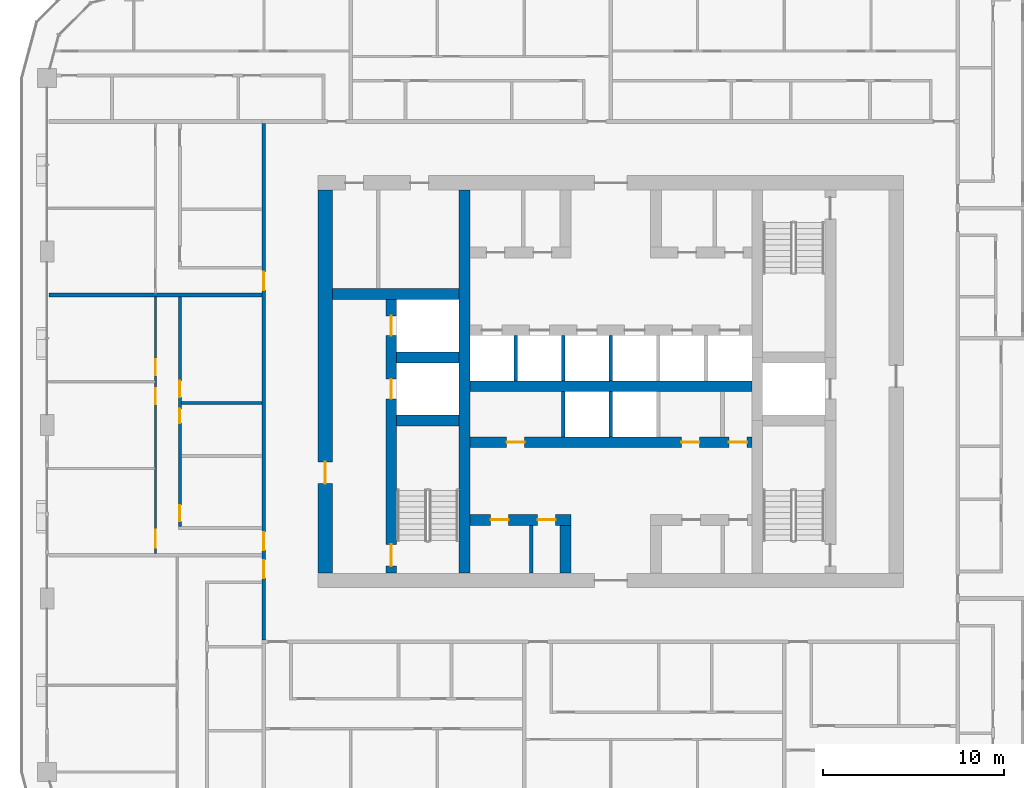
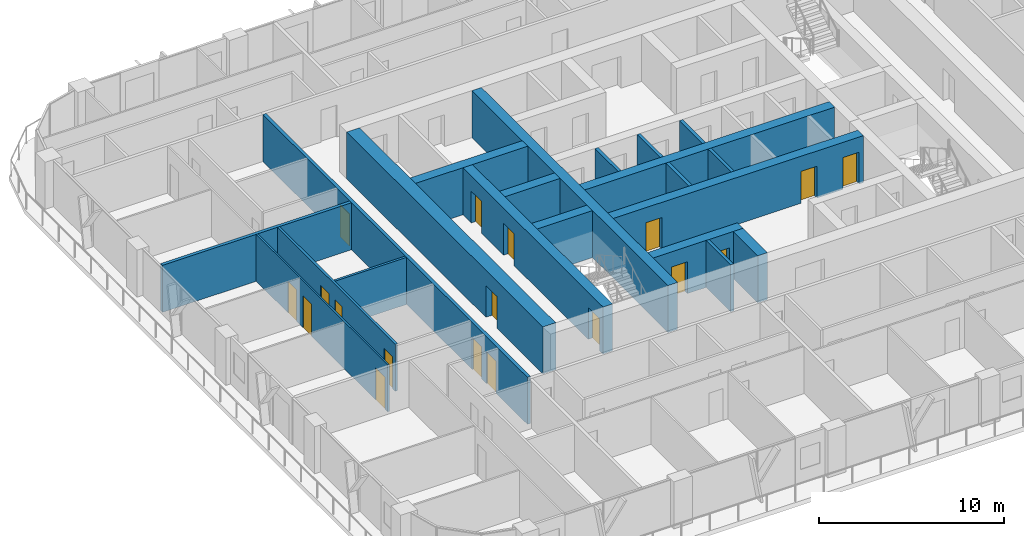
# One storey, part 10 of 22: 21 walls, 18 doors, 18 openings.
"""IFC4 building model written with IfcOpenShell, lengths in metres."""

import ifcopenshell
import ifcopenshell.guid

model = None  # the IFC model being written
_history = None  # IfcOwnerHistory: only IFC2X3 demands one
_inside = {}  # id of a spatial element -> (the spatial element, [elements in it])
_under = {}  # id of a project, library or spatial element -> (it, [spatial elements below it])
_declared = {}  # id of a project -> (the project, [libraries it declares])
_typed = {}  # id of a type object -> (the type object, [elements of that type])
_made_of = {}  # id of a material, layer set ... -> (it, [elements and type objects made of it])


def new_model(schema):
    """Start an empty IFC model of exactly this schema.

    Asked for "IFC4X3", IfcOpenShell would pick the latest addendum, in which some entities
    have other attributes; the version numbers below select the first issue.
    IFC2X3 requires an IfcOwnerHistory on every rooted entity: one is made here for all.
    """
    global model, _history
    if schema == "IFC4X3":
        model = ifcopenshell.file(schema_version=(4, 3, 0, 0))
    else:
        model = ifcopenshell.file(schema=schema)
    _inside.clear()
    _under.clear()
    _declared.clear()
    _typed.clear()
    _made_of.clear()
    _history = None
    if model.schema == "IFC2X3":
        org = make("IfcOrganization", Name="unknown")
        user = make(
            "IfcPersonAndOrganization",
            ThePerson=make("IfcPerson", FamilyName="unknown"),
            TheOrganization=org,
        )
        app = make(
            "IfcApplication",
            ApplicationDeveloper=org,
            Version="unknown",
            ApplicationFullName="unknown",
            ApplicationIdentifier="unknown",
        )
        _history = make(
            "IfcOwnerHistory",
            OwningUser=user,
            OwningApplication=app,
            ChangeAction="ADDED",
            CreationDate=0,
        )
    return model


def make(cls, **values):
    """One entity of the class cls with the attributes given. An attribute that is None is left unset."""
    return model.create_entity(
        cls, **{name: value for name, value in values.items() if value is not None}
    )


def rooted(cls, **values):
    """An entity with a GlobalId (a new one), such as an element, a storey or a relation."""
    return make(cls, GlobalId=ifcopenshell.guid.new(), OwnerHistory=_history, **values)


def si_unit(unit_type, name, prefix=None):
    """IfcSIUnit, for example si_unit("LENGTHUNIT", "METRE", prefix="MILLI")."""
    return make("IfcSIUnit", UnitType=unit_type, Prefix=prefix, Name=name)


def assignment(units):
    """IfcUnitAssignment: the units of a project."""
    return None if units is None else make("IfcUnitAssignment", Units=units)


def point(xyz):
    """IfcCartesianPoint."""
    return None if xyz is None else make("IfcCartesianPoint", Coordinates=xyz)


def direction(xyz):
    """IfcDirection."""
    return None if xyz is None else make("IfcDirection", DirectionRatios=xyz)


def frame(location, z_axis=None, x_axis=None):
    """IfcAxis2Placement3D, a coordinate frame: its origin and axes. An axis left out is left unset."""
    return make(
        "IfcAxis2Placement3D",
        Location=point(location),
        Axis=direction(z_axis),
        RefDirection=direction(x_axis),
    )


def frame_2d(location, x_axis=None):
    """IfcAxis2Placement2D, a coordinate frame in the plane: its origin and x axis."""
    return make(
        "IfcAxis2Placement2D", Location=point(location), RefDirection=direction(x_axis)
    )


def origin():
    """The frame at (0, 0, 0) with its axes left unset."""
    return frame((0.0, 0.0, 0.0))


def place(relative_to, where):
    """IfcLocalPlacement: puts the frame where relative to a parent placement (None: the world)."""
    return make(
        "IfcLocalPlacement", PlacementRelTo=relative_to, RelativePlacement=where
    )


def context(
    kind, dimensions, precision=None, world=None, true_north=None, identifier=None
):
    """IfcGeometricRepresentationContext, for example the 3D "Model" context."""
    return make(
        "IfcGeometricRepresentationContext",
        ContextIdentifier=identifier,
        ContextType=kind,
        CoordinateSpaceDimension=dimensions,
        Precision=precision,
        WorldCoordinateSystem=world,
        TrueNorth=true_north,
    )


def subcontext(parent, identifier, kind, view, scale=None):
    """IfcGeometricRepresentationSubContext, for example "Body" below "Model"."""
    return make(
        "IfcGeometricRepresentationSubContext",
        ContextIdentifier=identifier,
        ContextType=kind,
        ParentContext=parent,
        TargetScale=scale,
        TargetView=view,
    )


def project(units=None, contexts=None):
    """IfcProject with its units and contexts."""
    return rooted(
        "IfcProject",
        Name="project",
        RepresentationContexts=contexts,
        UnitsInContext=assignment(units),
    )


def spatial(cls, under=None, at=None, **own):
    """A site, building, storey or space (cls), placed at a placement, below another one or the project."""
    s = rooted(cls, ObjectPlacement=at, **own)
    if under is not None:
        _under.setdefault(under.id(), (under, []))[1].append(s)
    return s


def profile(cls, at=None, kind="AREA", **sizes):
    """A parametric profile (cls). Its sizes go by their IFC names, for example OverallWidth=200.0."""
    return make(cls, ProfileType=kind, Position=at, **sizes)


def rectangle(**sizes):
    """IfcRectangleProfileDef."""
    return profile("IfcRectangleProfileDef", **sizes)


def extrude(swept, where, along, depth):
    """IfcExtrudedAreaSolid: the profile swept, set in the frame where, extruded along a direction by depth."""
    return make(
        "IfcExtrudedAreaSolid",
        SweptArea=swept,
        Position=where,
        ExtrudedDirection=direction(along),
        Depth=depth,
    )


def shape(context_of_items, identifier, shape_type, items):
    """IfcShapeRepresentation: the items that make up one representation, for example the "Body"."""
    return make(
        "IfcShapeRepresentation",
        ContextOfItems=context_of_items,
        RepresentationIdentifier=identifier,
        RepresentationType=shape_type,
        Items=items,
    )


def material(Name=None, Category=None):
    """IfcMaterial."""
    return make("IfcMaterial", Name=Name, Category=Category)


def layer(
    of_material, thickness, ventilated=None, Name=None, Category=None, Priority=None
):
    """IfcMaterialLayer: one layer of a wall or slab, of a material (None: an air gap)."""
    return make(
        "IfcMaterialLayer",
        Material=of_material,
        LayerThickness=thickness,
        IsVentilated=ventilated,
        Name=Name,
        Category=Category,
        Priority=Priority,
    )


def layer_set(layers, Name=None):
    """IfcMaterialLayerSet."""
    return make("IfcMaterialLayerSet", MaterialLayers=layers, LayerSetName=Name)


def made_of(thing, what):
    """Note that an element or type object is made of a material, layer set ...; save() writes the relation."""
    if what is not None:
        _made_of.setdefault(what.id(), (what, []))[1].append(thing)
    return thing


def type_object(cls, material=None, **own):
    """A type object (cls), such as IfcWallType, which elements share."""
    return made_of(rooted(cls, **own), material)


def element(
    cls,
    number,
    at=None,
    inside=None,
    cuts=None,
    type_object=None,
    material=None,
    context=None,
    identifier="Body",
    shape_type=None,
    held_by="IfcProductDefinitionShape",
    body=None,
    shapes=None,
    **own,
):
    """One element of the class cls, such as IfcWall. Its Tag is "e" and its number.

    at: its placement. inside: the storey or other place that contains it. cuts: it is an
    opening in that element (IfcRelVoidsElement). A single representation is given by context,
    identifier, shape_type and body (its items); several are given by shapes. held_by: the class
    of the entity that holds the representations. save() writes the other relations.
    """
    e = rooted(cls, Tag="e%d" % number, ObjectPlacement=at, **own)
    if body is not None:
        shapes = [shape(context, identifier, shape_type, body)]
    if shapes is not None:
        e.Representation = make(held_by, Representations=shapes)
    if inside is not None:
        _inside.setdefault(inside.id(), (inside, []))[1].append(e)
    if cuts is not None:
        rooted(
            "IfcRelVoidsElement", RelatingBuildingElement=cuts, RelatedOpeningElement=e
        )
    if type_object is not None:
        _typed.setdefault(type_object.id(), (type_object, []))[1].append(e)
    return made_of(e, material)


def fill(opening, filler):
    """IfcRelFillsElement: the door or window that sits in an opening."""
    return rooted(
        "IfcRelFillsElement",
        RelatingOpeningElement=opening,
        RelatedBuildingElement=filler,
    )


def aggregate(whole, parts):
    """IfcRelAggregates: a whole, such as a stair, and the parts it consists of."""
    return rooted("IfcRelAggregates", RelatingObject=whole, RelatedObjects=parts)


def save(model, path):
    """Write the relations noted so far, then the file.

    IfcRelAggregates (storeys below a building ...), IfcRelContainedInSpatialStructure (elements
    in a storey), IfcRelDefinesByType, IfcRelAssociatesMaterial and IfcRelDeclares: one each for
    every whole, place, type object, material and project.
    """
    for whole, parts in _under.values():
        aggregate(whole, parts)
    for where, things in _inside.values():
        rooted(
            "IfcRelContainedInSpatialStructure",
            RelatedElements=things,
            RelatingStructure=where,
        )
    for kind, things in _typed.values():
        rooted("IfcRelDefinesByType", RelatedObjects=things, RelatingType=kind)
    for what, things in _made_of.values():
        rooted("IfcRelAssociatesMaterial", RelatedObjects=things, RelatingMaterial=what)
    for by, libraries in _declared.values():
        rooted("IfcRelDeclares", RelatingContext=by, RelatedDefinitions=libraries)
    model.write(path)


model = new_model("IFC4")

# Units and contexts
model_context = context("Model", 3, precision=1e-05, world=origin(), true_north=direction((0.0, 1.0)))
body_context = subcontext(model_context, "Body", "Model", "MODEL_VIEW")
ifc_project = project(units=[si_unit("LENGTHUNIT", "METRE"), si_unit("AREAUNIT", "SQUARE_METRE"), si_unit("VOLUMEUNIT", "CUBIC_METRE"), si_unit("PLANEANGLEUNIT", "RADIAN"), si_unit("MASSUNIT", "GRAM", prefix="KILO")], contexts=[model_context])

# Site, building, storey
site_placement = place(None, origin())
site = spatial("IfcSite", under=ifc_project, at=site_placement, CompositionType="ELEMENT")
building_placement = place(site_placement, origin())
building = spatial("IfcBuilding", under=site, at=building_placement, Name="Madar Terraces", CompositionType="ELEMENT")
storey_placement = place(building_placement, frame((0.0, 0.0, 170.0)))
storey = spatial("IfcBuildingStorey", under=building, at=storey_placement, Name="L44", CompositionType="ELEMENT", Elevation=170.0)

# Wall, openings, doors
ifc_material_1 = material(Name="Concrete C70/85", Category="concrete")
ifc_layer_1 = layer(ifc_material_1, 0.60009765625)
ifc_layer_set_1 = layer_set([ifc_layer_1], Name="Concrete C70/85 (CIW3 RC wall 600)")
wall_type_1 = type_object("IfcWallType", Name="CIW3 RC wall 600", PredefinedType="SHEAR", material=ifc_layer_set_1)
wall_1_placement = place(storey_placement, frame((19.050048828125, 15.800048828125, 0.0), z_axis=(0.0, 0.0, 1.0), x_axis=(0.0, 1.0, 0.0)))
wall_1 = element("IfcWall", 1, at=wall_1_placement, inside=storey, type_object=wall_type_1, Name="CORE SHAFT WALL", PredefinedType="SHEAR", context=body_context, shape_type="SweptSolid", body=[
    extrude(rectangle(XDim=15.14990234375, YDim=0.60009765625, at=frame_2d((7.574951171875, 0.0))), origin(), (0.0, 0.0, 1.0), 3.10009765625),
])
opening_1_placement = place(wall_1_placement, frame((9.64990234375, 0.0, 0.0)))
opening_1 = element("IfcOpeningElement", 2, at=opening_1_placement, cuts=wall_1, Name="Opening LD", PredefinedType="OPENING", context=body_context, shape_type="SweptSolid", body=[
    extrude(rectangle(XDim=1.10009765625, YDim=2.10009765625, at=frame_2d((0.550048828125, 1.050048828125))), frame((0.0, 0.31005859375, 0.0), z_axis=(0.0, -1.0, 0.0), x_axis=(1.0, 0.0, 0.0)), (0.0, 0.0, 1.0), 0.6201171875),
])
opening_2_placement = place(wall_1_placement, frame((13.14990234375, 0.0, 0.0)))
opening_2 = element("IfcOpeningElement", 3, at=opening_2_placement, cuts=wall_1, Name="Opening LD", PredefinedType="OPENING", context=body_context, shape_type="SweptSolid", body=[
    extrude(rectangle(XDim=1.10009765625, YDim=2.10009765625, at=frame_2d((0.550048828125, 1.050048828125))), frame((0.0, 0.31005859375, 0.0), z_axis=(0.0, -1.0, 0.0), x_axis=(1.0, 0.0, 0.0)), (0.0, 0.0, 1.0), 0.6201171875),
])
opening_3_placement = place(wall_1_placement, frame((0.39990234375, 0.0, 0.0)))
opening_3 = element("IfcOpeningElement", 4, at=opening_3_placement, cuts=wall_1, Name="Opening SD1", PredefinedType="OPENING", context=body_context, shape_type="SweptSolid", body=[
    extrude(rectangle(XDim=1.199951171875, YDim=2.10009765625, at=frame_2d((0.60009765625, 1.050048828125))), frame((0.0, 0.31005859375, 0.0), z_axis=(0.0, -1.0, 0.0), x_axis=(1.0, 0.0, 0.0)), (0.0, 0.0, 1.0), 0.6201171875),
])
ifc_material_2 = material(Name="Stainless steel panel", Category="steel")
door_type_1 = type_object("IfcDoorType", Name="Lift landing door 1100 x 2100", OperationType="DOUBLE_DOOR_SLIDING", PredefinedType="DOOR", material=ifc_material_2)
door_1_placement = place(opening_1_placement, origin())
door_1 = element("IfcDoor", 5, at=door_1_placement, inside=storey, type_object=door_type_1, Name="LIFT LANDING DOOR", OperationType="DOUBLE_DOOR_SLIDING", OverallHeight=2.10009765625, OverallWidth=1.10009765625, PredefinedType="DOOR", context=body_context, shape_type="SweptSolid", body=[
    extrude(rectangle(XDim=1.10009765625, YDim=2.10009765625, at=frame_2d((0.550048828125, 1.050048828125))), frame((0.0, 0.02490234375, 0.0), z_axis=(0.0, -1.0, 0.0), x_axis=(1.0, 0.0, 0.0)), (0.0, 0.0, 1.0), 0.050048828125),
])
fill(opening_1, door_1)
door_2_placement = place(opening_2_placement, origin())
door_2 = element("IfcDoor", 6, at=door_2_placement, inside=storey, type_object=door_type_1, Name="LIFT LANDING DOOR", OperationType="DOUBLE_DOOR_SLIDING", OverallHeight=2.10009765625, OverallWidth=1.10009765625, PredefinedType="DOOR", context=body_context, shape_type="SweptSolid", body=[
    extrude(rectangle(XDim=1.10009765625, YDim=2.10009765625, at=frame_2d((0.550048828125, 1.050048828125))), frame((0.0, 0.02490234375, 0.0), z_axis=(0.0, -1.0, 0.0), x_axis=(1.0, 0.0, 0.0)), (0.0, 0.0, 1.0), 0.050048828125),
])
fill(opening_2, door_2)
ifc_material_3 = material(Name="Steel door leaf", Category="steel")
door_type_2 = type_object("IfcDoorType", Name="Stair door 1200 x 2100", OperationType="NOTDEFINED", PredefinedType="DOOR", material=ifc_material_3)
door_3_placement = place(opening_3_placement, frame((1.199951171875, 0.0, 0.0), z_axis=(0.0, 0.0, 1.0), x_axis=(-1.0, 0.0, 0.0)))
door_3 = element("IfcDoor", 7, at=door_3_placement, inside=storey, type_object=door_type_2, Name="STAIR DOOR", OperationType="SINGLE_SWING_RIGHT", OverallHeight=2.10009765625, OverallWidth=1.199951171875, PredefinedType="DOOR", context=body_context, shape_type="SweptSolid", body=[
    extrude(rectangle(XDim=1.199951171875, YDim=2.10009765625, at=frame_2d((0.60009765625, 1.050048828125))), frame((0.0, 0.02490234375, 0.0), z_axis=(0.0, -1.0, 0.0), x_axis=(1.0, 0.0, 0.0)), (0.0, 0.0, 1.0), 0.050048828125),
])
fill(opening_3, door_3)

# Walls
wall_2_placement = place(storey_placement, frame((23.10009765625, 15.800048828125, 0.0), z_axis=(0.0, 0.0, 1.0), x_axis=(0.0, 1.0, 0.0)))
element("IfcWall", 8, at=wall_2_placement, inside=storey, type_object=wall_type_1, Name="CORE SHAFT WALL", PredefinedType="SHEAR", context=body_context, shape_type="SweptSolid", body=[
    extrude(rectangle(XDim=21.199951171875, YDim=0.60009765625, at=frame_2d((10.60009765625, 0.0))), origin(), (0.0, 0.0, 1.0), 3.10009765625),
])
for number, where, z_axis, x_axis, name in (
    (9, (19.35009765625, 24.25, 0.0), (0.0, 0.0, 1.0), (1.0, 0.0, 0.0), "CORE SHAFT WALL"),
    (10, (19.35009765625, 27.75, 0.0), (0.0, 0.0, 1.0), (1.0, 0.0, 0.0), "CORE SHAFT WALL"),
):
    element("IfcWall", number, at=place(storey_placement, frame(where, z_axis=z_axis, x_axis=x_axis)), inside=storey, type_object=wall_type_1, Name=name, PredefinedType="SHEAR", context=body_context, shape_type="SweptSolid", body=[
        extrude(rectangle(XDim=3.449951171875, YDim=0.60009765625, at=frame_2d((1.72509765625, 0.0))), origin(), (0.0, 0.0, 1.0), 3.10009765625),
    ])
wall_3_placement = place(storey_placement, frame((15.800048828125, 31.25, 0.0), z_axis=(0.0, 0.0, 1.0), x_axis=(1.0, 0.0, 0.0)))
element("IfcWall", 11, at=wall_3_placement, inside=storey, type_object=wall_type_1, Name="CORE SHAFT WALL", PredefinedType="SHEAR", context=body_context, shape_type="SweptSolid", body=[
    extrude(rectangle(XDim=7.0, YDim=0.60009765625, at=frame_2d((3.5, 0.0))), origin(), (0.0, 0.0, 1.0), 3.10009765625),
])

# Wall, openings, doors
wall_4_placement = place(storey_placement, frame((23.39990234375, 18.75, 0.0), z_axis=(0.0, 0.0, 1.0), x_axis=(1.0, 0.0, 0.0)))
wall_4 = element("IfcWall", 12, at=wall_4_placement, inside=storey, type_object=wall_type_1, Name="CORE SHAFT WALL", PredefinedType="SHEAR", context=body_context, shape_type="SweptSolid", body=[
    extrude(rectangle(XDim=5.60009765625, YDim=0.60009765625, at=frame_2d((2.800048828125, 0.0))), origin(), (0.0, 0.0, 1.0), 3.10009765625),
])
opening_4_placement = place(wall_4_placement, frame((1.14990234375, 0.0, 0.0)))
opening_4 = element("IfcOpeningElement", 13, at=opening_4_placement, cuts=wall_4, Name="Opening KD2", PredefinedType="OPENING", context=body_context, shape_type="SweptSolid", body=[
    extrude(rectangle(XDim=1.0, YDim=2.10009765625, at=frame_2d((0.5, 1.050048828125))), frame((0.0, 0.31005859375, 0.0), z_axis=(0.0, -1.0, 0.0), x_axis=(1.0, 0.0, 0.0)), (0.0, 0.0, 1.0), 0.6201171875),
])
opening_5_placement = place(wall_4_placement, frame((3.75, 0.0, 0.0)))
opening_5 = element("IfcOpeningElement", 14, at=opening_5_placement, cuts=wall_4, Name="Opening KD2", PredefinedType="OPENING", context=body_context, shape_type="SweptSolid", body=[
    extrude(rectangle(XDim=1.0, YDim=2.10009765625, at=frame_2d((0.5, 1.050048828125))), frame((0.0, 0.31005859375, 0.0), z_axis=(0.0, -1.0, 0.0), x_axis=(1.0, 0.0, 0.0)), (0.0, 0.0, 1.0), 0.6201171875),
])
ifc_material_4 = material(Name="Steel door leaf", Category="steel")
door_type_3 = type_object("IfcDoorType", Name="Service room door 1000 x 2100", OperationType="NOTDEFINED", PredefinedType="DOOR", material=ifc_material_4)
door_4_placement = place(opening_4_placement, origin())
door_4 = element("IfcDoor", 15, at=door_4_placement, inside=storey, type_object=door_type_3, Name="SERVICE ROOM DOOR", OperationType="SINGLE_SWING_RIGHT", OverallHeight=2.10009765625, OverallWidth=1.0, PredefinedType="DOOR", context=body_context, shape_type="SweptSolid", body=[
    extrude(rectangle(XDim=1.0, YDim=2.10009765625, at=frame_2d((0.5, 1.050048828125))), frame((0.0, 0.02490234375, 0.0), z_axis=(0.0, -1.0, 0.0), x_axis=(1.0, 0.0, 0.0)), (0.0, 0.0, 1.0), 0.050048828125),
])
fill(opening_4, door_4)
door_5_placement = place(opening_5_placement, origin())
door_5 = element("IfcDoor", 16, at=door_5_placement, inside=storey, type_object=door_type_3, Name="SERVICE ROOM DOOR", OperationType="SINGLE_SWING_LEFT", OverallHeight=2.10009765625, OverallWidth=1.0, PredefinedType="DOOR", context=body_context, shape_type="SweptSolid", body=[
    extrude(rectangle(XDim=1.0, YDim=2.10009765625, at=frame_2d((0.5, 1.050048828125))), frame((0.0, 0.02490234375, 0.0), z_axis=(0.0, -1.0, 0.0), x_axis=(1.0, 0.0, 0.0)), (0.0, 0.0, 1.0), 0.050048828125),
])
fill(opening_5, door_5)

wall_5_placement = place(storey_placement, frame((23.39990234375, 23.050048828125, 0.0), z_axis=(0.0, 0.0, 1.0), x_axis=(1.0, 0.0, 0.0)))
wall_5 = element("IfcWall", 17, at=wall_5_placement, inside=storey, type_object=wall_type_1, Name="CORE SHAFT WALL", PredefinedType="SHEAR", context=body_context, shape_type="SweptSolid", body=[
    extrude(rectangle(XDim=15.60009765625, YDim=0.60009765625, at=frame_2d((7.800048828125, 0.0))), origin(), (0.0, 0.0, 1.0), 3.10009765625),
])
opening_6_placement = place(wall_5_placement, frame((2.033447265625, 0.0, 0.0)))
opening_6 = element("IfcOpeningElement", 18, at=opening_6_placement, cuts=wall_5, Name="Opening KD2", PredefinedType="OPENING", context=body_context, shape_type="SweptSolid", body=[
    extrude(rectangle(XDim=1.0, YDim=2.10009765625, at=frame_2d((0.5, 1.050048828125))), frame((0.0, 0.31005859375, 0.0), z_axis=(0.0, -1.0, 0.0), x_axis=(1.0, 0.0, 0.0)), (0.0, 0.0, 1.0), 0.6201171875),
])
opening_7_placement = place(wall_5_placement, frame((11.7060546875, 0.0, 0.0)))
opening_7 = element("IfcOpeningElement", 19, at=opening_7_placement, cuts=wall_5, Name="Opening KD2", PredefinedType="OPENING", context=body_context, shape_type="SweptSolid", body=[
    extrude(rectangle(XDim=1.0, YDim=2.10009765625, at=frame_2d((0.5, 1.050048828125))), frame((0.0, 0.31005859375, 0.0), z_axis=(0.0, -1.0, 0.0), x_axis=(1.0, 0.0, 0.0)), (0.0, 0.0, 1.0), 0.6201171875),
])
opening_8_placement = place(wall_5_placement, frame((14.33935546875, 0.0, 0.0)))
opening_8 = element("IfcOpeningElement", 20, at=opening_8_placement, cuts=wall_5, Name="Opening KD2", PredefinedType="OPENING", context=body_context, shape_type="SweptSolid", body=[
    extrude(rectangle(XDim=1.0, YDim=2.10009765625, at=frame_2d((0.5, 1.050048828125))), frame((0.0, 0.31005859375, 0.0), z_axis=(0.0, -1.0, 0.0), x_axis=(1.0, 0.0, 0.0)), (0.0, 0.0, 1.0), 0.6201171875),
])
door_6_placement = place(opening_6_placement, frame((1.0, 0.0, 0.0), z_axis=(0.0, 0.0, 1.0), x_axis=(-1.0, 0.0, 0.0)))
door_6 = element("IfcDoor", 21, at=door_6_placement, inside=storey, type_object=door_type_3, Name="SERVICE ROOM DOOR", OperationType="SINGLE_SWING_LEFT", OverallHeight=2.10009765625, OverallWidth=1.0, PredefinedType="DOOR", context=body_context, shape_type="SweptSolid", body=[
    extrude(rectangle(XDim=1.0, YDim=2.10009765625, at=frame_2d((0.5, 1.050048828125))), frame((0.0, 0.02490234375, 0.0), z_axis=(0.0, -1.0, 0.0), x_axis=(1.0, 0.0, 0.0)), (0.0, 0.0, 1.0), 0.050048828125),
])
fill(opening_6, door_6)
door_7_placement = place(opening_7_placement, frame((1.0, 0.0, 0.0), z_axis=(0.0, 0.0, 1.0), x_axis=(-1.0, 0.0, 0.0)))
door_7 = element("IfcDoor", 22, at=door_7_placement, inside=storey, type_object=door_type_3, Name="SERVICE ROOM DOOR", OperationType="SINGLE_SWING_RIGHT", OverallHeight=2.10009765625, OverallWidth=1.0, PredefinedType="DOOR", context=body_context, shape_type="SweptSolid", body=[
    extrude(rectangle(XDim=1.0, YDim=2.10009765625, at=frame_2d((0.5, 1.050048828125))), frame((0.0, 0.02490234375, 0.0), z_axis=(0.0, -1.0, 0.0), x_axis=(1.0, 0.0, 0.0)), (0.0, 0.0, 1.0), 0.050048828125),
])
fill(opening_7, door_7)
door_8_placement = place(opening_8_placement, frame((1.0, 0.0, 0.0), z_axis=(0.0, 0.0, 1.0), x_axis=(-1.0, 0.0, 0.0)))
door_8 = element("IfcDoor", 23, at=door_8_placement, inside=storey, type_object=door_type_3, Name="SERVICE ROOM DOOR", OperationType="SINGLE_SWING_LEFT", OverallHeight=2.10009765625, OverallWidth=1.0, PredefinedType="DOOR", context=body_context, shape_type="SweptSolid", body=[
    extrude(rectangle(XDim=1.0, YDim=2.10009765625, at=frame_2d((0.5, 1.050048828125))), frame((0.0, 0.02490234375, 0.0), z_axis=(0.0, -1.0, 0.0), x_axis=(1.0, 0.0, 0.0)), (0.0, 0.0, 1.0), 0.050048828125),
])
fill(opening_8, door_8)

# Walls
wall_6_placement = place(storey_placement, frame((23.39990234375, 26.14990234375, 0.0), z_axis=(0.0, 0.0, 1.0), x_axis=(1.0, 0.0, 0.0)))
element("IfcWall", 24, at=wall_6_placement, inside=storey, type_object=wall_type_1, Name="CORE SHAFT WALL", PredefinedType="SHEAR", context=body_context, shape_type="SweptSolid", body=[
    extrude(rectangle(XDim=15.60009765625, YDim=0.60009765625, at=frame_2d((7.800048828125, 0.0))), origin(), (0.0, 0.0, 1.0), 3.10009765625),
])
wall_7_placement = place(storey_placement, frame((28.699951171875, 15.800048828125, 0.0), z_axis=(0.0, 0.0, 1.0), x_axis=(0.0, 1.0, 0.0)))
element("IfcWall", 25, at=wall_7_placement, inside=storey, type_object=wall_type_1, Name="CORE SHAFT WALL", PredefinedType="SHEAR", context=body_context, shape_type="SweptSolid", body=[
    extrude(rectangle(XDim=2.64990234375, YDim=0.60009765625, at=frame_2d((1.324951171875, 0.0))), origin(), (0.0, 0.0, 1.0), 3.10009765625),
])

# Wall, opening, door
ifc_material_5 = material(Name="Concrete C70/85", Category="concrete")
ifc_layer_2 = layer(ifc_material_5, 0.800048828125)
ifc_layer_set_2 = layer_set([ifc_layer_2], Name="Concrete C70/85 (CRW3 RC wall 800)")
wall_type_2 = type_object("IfcWallType", Name="CRW3 RC wall 800", PredefinedType="SHEAR", material=ifc_layer_set_2)
wall_8_placement = place(storey_placement, frame((15.39990234375, 15.800048828125, 0.0), z_axis=(0.0, 0.0, 1.0), x_axis=(0.0, 1.0, 0.0)))
wall_8 = element("IfcWall", 26, at=wall_8_placement, inside=storey, type_object=wall_type_2, Name="CORE OUTER WALL", PredefinedType="SHEAR", context=body_context, shape_type="SweptSolid", body=[
    extrude(rectangle(XDim=21.199951171875, YDim=0.800048828125, at=frame_2d((10.60009765625, 0.0))), origin(), (0.0, 0.0, 1.0), 3.10009765625),
])
opening_9_placement = place(wall_8_placement, frame((4.9599609375, 0.0, 0.0)))
opening_9 = element("IfcOpeningElement", 27, at=opening_9_placement, cuts=wall_8, Name="Opening SD1", PredefinedType="OPENING", context=body_context, shape_type="SweptSolid", body=[
    extrude(rectangle(XDim=1.199951171875, YDim=2.10009765625, at=frame_2d((0.60009765625, 1.050048828125))), frame((0.0, 0.409912109375, 0.0), z_axis=(0.0, -1.0, 0.0), x_axis=(1.0, 0.0, 0.0)), (0.0, 0.0, 1.0), 0.820068359375),
])
door_9_placement = place(opening_9_placement, frame((1.199951171875, 0.0, 0.0), z_axis=(0.0, 0.0, 1.0), x_axis=(-1.0, 0.0, 0.0)))
door_9 = element("IfcDoor", 28, at=door_9_placement, inside=storey, type_object=door_type_2, Name="STAIR DOOR", OperationType="SINGLE_SWING_LEFT", OverallHeight=2.10009765625, OverallWidth=1.199951171875, PredefinedType="DOOR", context=body_context, shape_type="SweptSolid", body=[
    extrude(rectangle(XDim=1.199951171875, YDim=2.10009765625, at=frame_2d((0.60009765625, 1.050048828125))), frame((0.0, 0.02490234375, 0.0), z_axis=(0.0, -1.0, 0.0), x_axis=(1.0, 0.0, 0.0)), (0.0, 0.0, 1.0), 0.050048828125),
])
fill(opening_9, door_9)

# Walls
ifc_material_6 = material(Name="Masonry blockwork", Category="masonry")
ifc_layer_3 = layer(ifc_material_6, 0.199951171875)
ifc_layer_set_3 = layer_set([ifc_layer_3], Name="Core partition 200 blockwork")
wall_type_3 = type_object("IfcWallType", Name="Core partition 200 blockwork", PredefinedType="PARTITIONING", material=ifc_layer_set_3)
wall_9_placement = place(storey_placement, frame((26.800048828125, 15.800048828125, 0.0), z_axis=(0.0, 0.0, 1.0), x_axis=(0.0, 1.0, 0.0)))
element("IfcWall", 29, at=wall_9_placement, inside=storey, type_object=wall_type_3, Name="SERVICE ROOM PARTITION", PredefinedType="PARTITIONING", context=body_context, shape_type="SweptSolid", body=[
    extrude(rectangle(XDim=2.64990234375, YDim=0.199951171875, at=frame_2d((1.324951171875, 0.0))), origin(), (0.0, 0.0, 1.0), 3.10009765625),
])
ifc_material_7 = material(Name="Concrete C40/50", Category="concrete")
ifc_layer_4 = layer(ifc_material_7, 0.199951171875)
ifc_layer_set_4 = layer_set([ifc_layer_4], Name="Core shaft dividing wall 200 C40/50")
wall_type_4 = type_object("IfcWallType", Name="Core shaft dividing wall 200 C40/50", PredefinedType="SOLIDWALL", material=ifc_layer_set_4)
for number, where, z_axis, x_axis, name in (
    (30, (25.933349609375, 26.449951171875, 0.0), (0.0, 0.0, 1.0), (0.0, 1.0, 0.0), "SHAFT DIVIDING WALL"),
    (31, (28.566650390625, 23.35009765625, 0.0), (0.0, 0.0, 1.0), (0.0, 1.0, 0.0), "SHAFT DIVIDING WALL"),
    (32, (28.566650390625, 26.449951171875, 0.0), (0.0, 0.0, 1.0), (0.0, 1.0, 0.0), "SHAFT DIVIDING WALL"),
    (33, (31.199951171875, 23.35009765625, 0.0), (0.0, 0.0, 1.0), (0.0, 1.0, 0.0), "SHAFT DIVIDING WALL"),
    (34, (31.199951171875, 26.449951171875, 0.0), (0.0, 0.0, 1.0), (0.0, 1.0, 0.0), "SHAFT DIVIDING WALL"),
):
    element("IfcWall", number, at=place(storey_placement, frame(where, z_axis=z_axis, x_axis=x_axis)), inside=storey, type_object=wall_type_4, Name=name, PredefinedType="SOLIDWALL", context=body_context, shape_type="SweptSolid", body=[
        extrude(rectangle(XDim=2.5, YDim=0.199951171875, at=frame_2d((1.25, 0.0))), origin(), (0.0, 0.0, 1.0), 3.10009765625),
    ])

# Wall, openings, doors
ifc_material_8 = material(Name="Gypsum board on steel studs", Category="steel")
ifc_layer_5 = layer(ifc_material_8, 0.10009765625)
ifc_layer_set_5 = layer_set([ifc_layer_5], Name="Flat partition 100")
wall_type_5 = type_object("IfcWallType", Name="Flat partition 100", PredefinedType="PARTITIONING", material=ifc_layer_set_5)
wall_10_placement = place(storey_placement, frame((6.0, 16.89990234375, 0.0), z_axis=(0.0, 0.0, 1.0), x_axis=(0.0, 1.0, 0.0)))
wall_10 = element("IfcWall", 35, at=wall_10_placement, inside=storey, type_object=wall_type_5, Name="Flat partition 100", PredefinedType="PARTITIONING", context=body_context, shape_type="SweptSolid", body=[
    extrude(rectangle(XDim=14.2001953125, YDim=0.10009765625, at=frame_2d((7.10009765625, 0.0))), origin(), (0.0, 0.0, 1.0), 3.10009765625),
])
opening_10_placement = place(wall_10_placement, frame((0.300048828125, 0.0, 0.0)))
opening_10 = element("IfcOpeningElement", 36, at=opening_10_placement, cuts=wall_10, Name="Opening D3", PredefinedType="OPENING", context=body_context, shape_type="SweptSolid", body=[
    extrude(rectangle(XDim=1.0, YDim=2.10009765625, at=frame_2d((0.5, 1.050048828125))), frame((0.0, 0.06005859375, 0.0), z_axis=(0.0, -1.0, 0.0), x_axis=(1.0, 0.0, 0.0)), (0.0, 0.0, 1.0), 0.1201171875),
])
opening_11_placement = place(wall_10_placement, frame((8.25, 0.0, 0.0)))
opening_11 = element("IfcOpeningElement", 37, at=opening_11_placement, cuts=wall_10, Name="Opening D2", PredefinedType="OPENING", context=body_context, shape_type="SweptSolid", body=[
    extrude(rectangle(XDim=0.89990234375, YDim=2.10009765625, at=frame_2d((0.449951171875, 1.050048828125))), frame((0.0, 0.06005859375, 0.0), z_axis=(0.0, -1.0, 0.0), x_axis=(1.0, 0.0, 0.0)), (0.0, 0.0, 1.0), 0.1201171875),
])
opening_12_placement = place(wall_10_placement, frame((9.85009765625, 0.0, 0.0)))
opening_12 = element("IfcOpeningElement", 38, at=opening_12_placement, cuts=wall_10, Name="Opening D2", PredefinedType="OPENING", context=body_context, shape_type="SweptSolid", body=[
    extrude(rectangle(XDim=0.89990234375, YDim=2.10009765625, at=frame_2d((0.449951171875, 1.050048828125))), frame((0.0, 0.06005859375, 0.0), z_axis=(0.0, -1.0, 0.0), x_axis=(1.0, 0.0, 0.0)), (0.0, 0.0, 1.0), 0.1201171875),
])
ifc_material_9 = material(Name="Timber door leaf", Category="wood")
door_type_4 = type_object("IfcDoorType", Name="Flat living room door 1000", OperationType="NOTDEFINED", PredefinedType="DOOR", material=ifc_material_9)
door_10_placement = place(opening_10_placement, origin())
door_10 = element("IfcDoor", 39, at=door_10_placement, inside=storey, type_object=door_type_4, Name="Flat living room door 1000", OperationType="SINGLE_SWING_LEFT", OverallHeight=2.10009765625, OverallWidth=1.0, PredefinedType="DOOR", context=body_context, shape_type="SweptSolid", body=[
    extrude(rectangle(XDim=1.0, YDim=2.10009765625, at=frame_2d((0.5, 1.050048828125))), frame((0.0, 0.02490234375, 0.0), z_axis=(0.0, -1.0, 0.0), x_axis=(1.0, 0.0, 0.0)), (0.0, 0.0, 1.0), 0.050048828125),
])
fill(opening_10, door_10)
ifc_material_10 = material(Name="Timber door leaf", Category="wood")
door_type_5 = type_object("IfcDoorType", Name="Flat room door 900", OperationType="NOTDEFINED", PredefinedType="DOOR", material=ifc_material_10)
door_11_placement = place(opening_11_placement, origin())
door_11 = element("IfcDoor", 40, at=door_11_placement, inside=storey, type_object=door_type_5, Name="Flat room door 900", OperationType="SINGLE_SWING_RIGHT", OverallHeight=2.10009765625, OverallWidth=0.89990234375, PredefinedType="DOOR", context=body_context, shape_type="SweptSolid", body=[
    extrude(rectangle(XDim=0.89990234375, YDim=2.10009765625, at=frame_2d((0.449951171875, 1.050048828125))), frame((0.0, 0.02490234375, 0.0), z_axis=(0.0, -1.0, 0.0), x_axis=(1.0, 0.0, 0.0)), (0.0, 0.0, 1.0), 0.050048828125),
])
fill(opening_11, door_11)
door_12_placement = place(opening_12_placement, origin())
door_12 = element("IfcDoor", 41, at=door_12_placement, inside=storey, type_object=door_type_5, Name="Flat room door 900", OperationType="SINGLE_SWING_LEFT", OverallHeight=2.10009765625, OverallWidth=0.89990234375, PredefinedType="DOOR", context=body_context, shape_type="SweptSolid", body=[
    extrude(rectangle(XDim=0.89990234375, YDim=2.10009765625, at=frame_2d((0.449951171875, 1.050048828125))), frame((0.0, 0.02490234375, 0.0), z_axis=(0.0, -1.0, 0.0), x_axis=(1.0, 0.0, 0.0)), (0.0, 0.0, 1.0), 0.050048828125),
])
fill(opening_12, door_12)

ifc_material_11 = material(Name="Lightweight blockwork", Category="masonry")
ifc_layer_6 = layer(ifc_material_11, 0.199951171875)
ifc_layer_set_6 = layer_set([ifc_layer_6], Name="Flat party and entrance wall 200")
wall_type_6 = type_object("IfcWallType", Name="Flat party and entrance wall 200", PredefinedType="PARTITIONING", material=ifc_layer_set_6)
wall_11_placement = place(storey_placement, frame((12.0, 12.10009765625, 0.0), z_axis=(0.0, 0.0, 1.0), x_axis=(0.0, 1.0, 0.0)))
wall_11 = element("IfcWall", 42, at=wall_11_placement, inside=storey, type_object=wall_type_6, Name="Flat party and entrance wall 200", PredefinedType="PARTITIONING", context=body_context, shape_type="SweptSolid", body=[
    extrude(rectangle(XDim=28.599853515625, YDim=0.199951171875, at=frame_2d((14.2998046875, 0.0))), origin(), (0.0, 0.0, 1.0), 3.10009765625),
])
opening_13_placement = place(wall_11_placement, frame((19.375, 0.0, 0.0)))
opening_13 = element("IfcOpeningElement", 43, at=opening_13_placement, cuts=wall_11, Name="Opening D1", PredefinedType="OPENING", context=body_context, shape_type="SweptSolid", body=[
    extrude(rectangle(XDim=1.0, YDim=2.10009765625, at=frame_2d((0.5, 1.050048828125))), frame((0.0, 0.10986328125, 0.0), z_axis=(0.0, -1.0, 0.0), x_axis=(1.0, 0.0, 0.0)), (0.0, 0.0, 1.0), 0.219970703125),
])
opening_14_placement = place(wall_11_placement, frame((4.97509765625, 0.0, 0.0)))
opening_14 = element("IfcOpeningElement", 44, at=opening_14_placement, cuts=wall_11, Name="Opening D1", PredefinedType="OPENING", context=body_context, shape_type="SweptSolid", body=[
    extrude(rectangle(XDim=1.0, YDim=2.10009765625, at=frame_2d((0.5, 1.050048828125))), frame((0.0, 0.10986328125, 0.0), z_axis=(0.0, -1.0, 0.0), x_axis=(1.0, 0.0, 0.0)), (0.0, 0.0, 1.0), 0.219970703125),
])
opening_15_placement = place(wall_11_placement, frame((3.425048828125, 0.0, 0.0)))
opening_15 = element("IfcOpeningElement", 45, at=opening_15_placement, cuts=wall_11, Name="Opening D1", PredefinedType="OPENING", context=body_context, shape_type="SweptSolid", body=[
    extrude(rectangle(XDim=1.0, YDim=2.10009765625, at=frame_2d((0.5, 1.050048828125))), frame((0.0, 0.10986328125, 0.0), z_axis=(0.0, -1.0, 0.0), x_axis=(1.0, 0.0, 0.0)), (0.0, 0.0, 1.0), 0.219970703125),
])
ifc_material_12 = material(Name="Timber fire door leaf", Category="wood")
door_type_6 = type_object("IfcDoorType", Name="Flat entrance door 1000 FD30S", OperationType="NOTDEFINED", PredefinedType="DOOR", material=ifc_material_12)
door_13_placement = place(opening_13_placement, origin())
door_13 = element("IfcDoor", 46, at=door_13_placement, inside=storey, type_object=door_type_6, Name="Flat entrance door 1000 FD30S", OperationType="SINGLE_SWING_LEFT", OverallHeight=2.10009765625, OverallWidth=1.0, PredefinedType="DOOR", context=body_context, shape_type="SweptSolid", body=[
    extrude(rectangle(XDim=1.0, YDim=2.10009765625, at=frame_2d((0.5, 1.050048828125))), frame((0.0, 0.02490234375, 0.0), z_axis=(0.0, -1.0, 0.0), x_axis=(1.0, 0.0, 0.0)), (0.0, 0.0, 1.0), 0.050048828125),
])
fill(opening_13, door_13)
door_14_placement = place(opening_14_placement, origin())
door_14 = element("IfcDoor", 47, at=door_14_placement, inside=storey, type_object=door_type_6, Name="Flat entrance door 1000 FD30S", OperationType="SINGLE_SWING_LEFT", OverallHeight=2.10009765625, OverallWidth=1.0, PredefinedType="DOOR", context=body_context, shape_type="SweptSolid", body=[
    extrude(rectangle(XDim=1.0, YDim=2.10009765625, at=frame_2d((0.5, 1.050048828125))), frame((0.0, 0.02490234375, 0.0), z_axis=(0.0, -1.0, 0.0), x_axis=(1.0, 0.0, 0.0)), (0.0, 0.0, 1.0), 0.050048828125),
])
fill(opening_14, door_14)
door_15_placement = place(opening_15_placement, origin())
door_15 = element("IfcDoor", 48, at=door_15_placement, inside=storey, type_object=door_type_6, Name="Flat entrance door 1000 FD30S", OperationType="SINGLE_SWING_RIGHT", OverallHeight=2.10009765625, OverallWidth=1.0, PredefinedType="DOOR", context=body_context, shape_type="SweptSolid", body=[
    extrude(rectangle(XDim=1.0, YDim=2.10009765625, at=frame_2d((0.5, 1.050048828125))), frame((0.0, 0.02490234375, 0.0), z_axis=(0.0, -1.0, 0.0), x_axis=(1.0, 0.0, 0.0)), (0.0, 0.0, 1.0), 0.050048828125),
])
fill(opening_15, door_15)

# Walls
wall_12_placement = place(storey_placement, frame((0.10009765625, 31.199951171875, 0.0), z_axis=(0.0, 0.0, 1.0), x_axis=(1.0, 0.0, 0.0)))
element("IfcWall", 49, at=wall_12_placement, inside=storey, type_object=wall_type_6, Name="Flat party and entrance wall 200", PredefinedType="PARTITIONING", context=body_context, shape_type="SweptSolid", body=[
    extrude(rectangle(XDim=11.7998046875, YDim=0.199951171875, at=frame_2d((5.89990234375, 0.0))), origin(), (0.0, 0.0, 1.0), 3.10009765625),
])
ifc_material_13 = material(Name="Lightweight blockwork", Category="masonry")
ifc_layer_7 = layer(ifc_material_13, 0.14990234375)
ifc_layer_set_7 = layer_set([ifc_layer_7], Name="Flat wet-room partition 150")
wall_type_7 = type_object("IfcWallType", Name="Flat wet-room partition 150", PredefinedType="PARTITIONING", material=ifc_layer_set_7)
wall_13_placement = place(storey_placement, frame((11.89990234375, 25.226806640625, 0.0), z_axis=(0.0, 0.0, 1.0), x_axis=(-1.0, 0.0, 0.0)))
element("IfcWall", 50, at=wall_13_placement, inside=storey, type_object=wall_type_7, Name="Flat wet-room partition 150", PredefinedType="PARTITIONING", context=body_context, shape_type="SweptSolid", body=[
    extrude(rectangle(XDim=4.474853515625, YDim=0.14990234375, at=frame_2d((2.2373046875, 0.0))), origin(), (0.0, 0.0, 1.0), 3.10009765625),
])

# Wall, openings, doors
wall_14_placement = place(storey_placement, frame((7.35009765625, 31.10009765625, 0.0), z_axis=(0.0, 0.0, 1.0), x_axis=(0.0, -1.0, 0.0)))
wall_14 = element("IfcWall", 51, at=wall_14_placement, inside=storey, type_object=wall_type_7, Name="Flat wet-room partition 150", PredefinedType="PARTITIONING", context=body_context, shape_type="SweptSolid", body=[
    extrude(rectangle(XDim=12.72509765625, YDim=0.14990234375, at=frame_2d((6.362548828125, 0.0))), origin(), (0.0, 0.0, 1.0), 3.10009765625),
])
opening_16_placement = place(wall_14_placement, frame((11.52490234375, 0.0, 0.0)))
opening_16 = element("IfcOpeningElement", 52, at=opening_16_placement, cuts=wall_14, Name="Opening D5", PredefinedType="OPENING", context=body_context, shape_type="SweptSolid", body=[
    extrude(rectangle(XDim=0.89990234375, YDim=2.10009765625, at=frame_2d((0.449951171875, 1.050048828125))), frame((0.0, 0.0849609375, 0.0), z_axis=(0.0, -1.0, 0.0), x_axis=(1.0, 0.0, 0.0)), (0.0, 0.0, 1.0), 0.169921875),
])
opening_17_placement = place(wall_14_placement, frame((6.197998046875, 0.0, 0.0)))
opening_17 = element("IfcOpeningElement", 53, at=opening_17_placement, cuts=wall_14, Name="Opening D4", PredefinedType="OPENING", context=body_context, shape_type="SweptSolid", body=[
    extrude(rectangle(XDim=0.800048828125, YDim=2.10009765625, at=frame_2d((0.39990234375, 1.050048828125))), frame((0.0, 0.0849609375, 0.0), z_axis=(0.0, -1.0, 0.0), x_axis=(1.0, 0.0, 0.0)), (0.0, 0.0, 1.0), 0.169921875),
])
opening_18_placement = place(wall_14_placement, frame((4.648193359375, 0.0, 0.0)))
opening_18 = element("IfcOpeningElement", 54, at=opening_18_placement, cuts=wall_14, Name="Opening D2", PredefinedType="OPENING", context=body_context, shape_type="SweptSolid", body=[
    extrude(rectangle(XDim=0.89990234375, YDim=2.10009765625, at=frame_2d((0.449951171875, 1.050048828125))), frame((0.0, 0.0849609375, 0.0), z_axis=(0.0, -1.0, 0.0), x_axis=(1.0, 0.0, 0.0)), (0.0, 0.0, 1.0), 0.169921875),
])
ifc_material_14 = material(Name="Timber door leaf", Category="wood")
door_type_7 = type_object("IfcDoorType", Name="Flat accessible bathroom door 900", OperationType="NOTDEFINED", PredefinedType="DOOR", material=ifc_material_14)
door_16_placement = place(opening_16_placement, origin())
door_16 = element("IfcDoor", 55, at=door_16_placement, inside=storey, type_object=door_type_7, Name="Flat accessible bathroom door 900", OperationType="SINGLE_SWING_RIGHT", OverallHeight=2.10009765625, OverallWidth=0.89990234375, PredefinedType="DOOR", context=body_context, shape_type="SweptSolid", body=[
    extrude(rectangle(XDim=0.89990234375, YDim=2.10009765625, at=frame_2d((0.449951171875, 1.050048828125))), frame((0.0, 0.02490234375, 0.0), z_axis=(0.0, -1.0, 0.0), x_axis=(1.0, 0.0, 0.0)), (0.0, 0.0, 1.0), 0.050048828125),
])
fill(opening_16, door_16)
ifc_material_15 = material(Name="Timber door leaf", Category="wood")
door_type_8 = type_object("IfcDoorType", Name="Flat bathroom door 800", OperationType="NOTDEFINED", PredefinedType="DOOR", material=ifc_material_15)
door_17_placement = place(opening_17_placement, origin())
door_17 = element("IfcDoor", 56, at=door_17_placement, inside=storey, type_object=door_type_8, Name="Flat bathroom door 800", OperationType="SINGLE_SWING_LEFT", OverallHeight=2.10009765625, OverallWidth=0.800048828125, PredefinedType="DOOR", context=body_context, shape_type="SweptSolid", body=[
    extrude(rectangle(XDim=0.800048828125, YDim=2.10009765625, at=frame_2d((0.39990234375, 1.050048828125))), frame((0.0, 0.02490234375, 0.0), z_axis=(0.0, -1.0, 0.0), x_axis=(1.0, 0.0, 0.0)), (0.0, 0.0, 1.0), 0.050048828125),
])
fill(opening_17, door_17)
door_18_placement = place(opening_18_placement, origin())
door_18 = element("IfcDoor", 57, at=door_18_placement, inside=storey, type_object=door_type_5, Name="Flat room door 900", OperationType="SINGLE_SWING_RIGHT", OverallHeight=2.10009765625, OverallWidth=0.89990234375, PredefinedType="DOOR", context=body_context, shape_type="SweptSolid", body=[
    extrude(rectangle(XDim=0.89990234375, YDim=2.10009765625, at=frame_2d((0.449951171875, 1.050048828125))), frame((0.0, 0.02490234375, 0.0), z_axis=(0.0, -1.0, 0.0), x_axis=(1.0, 0.0, 0.0)), (0.0, 0.0, 1.0), 0.050048828125),
])
fill(opening_18, door_18)

save(model, "model.ifc")
